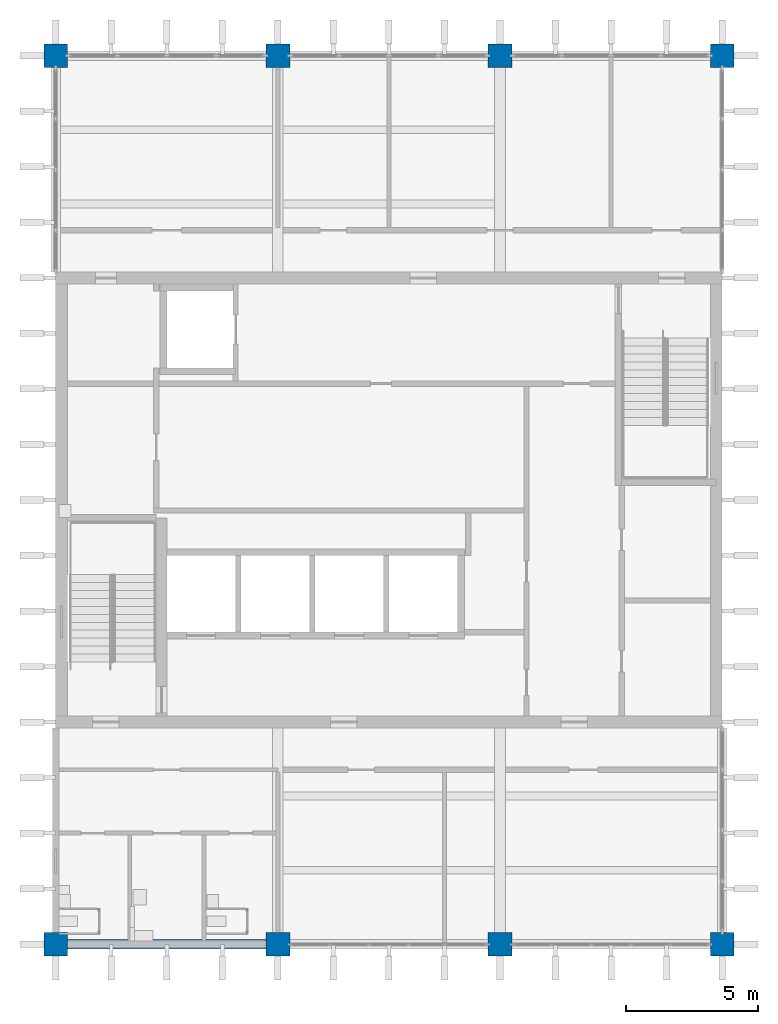
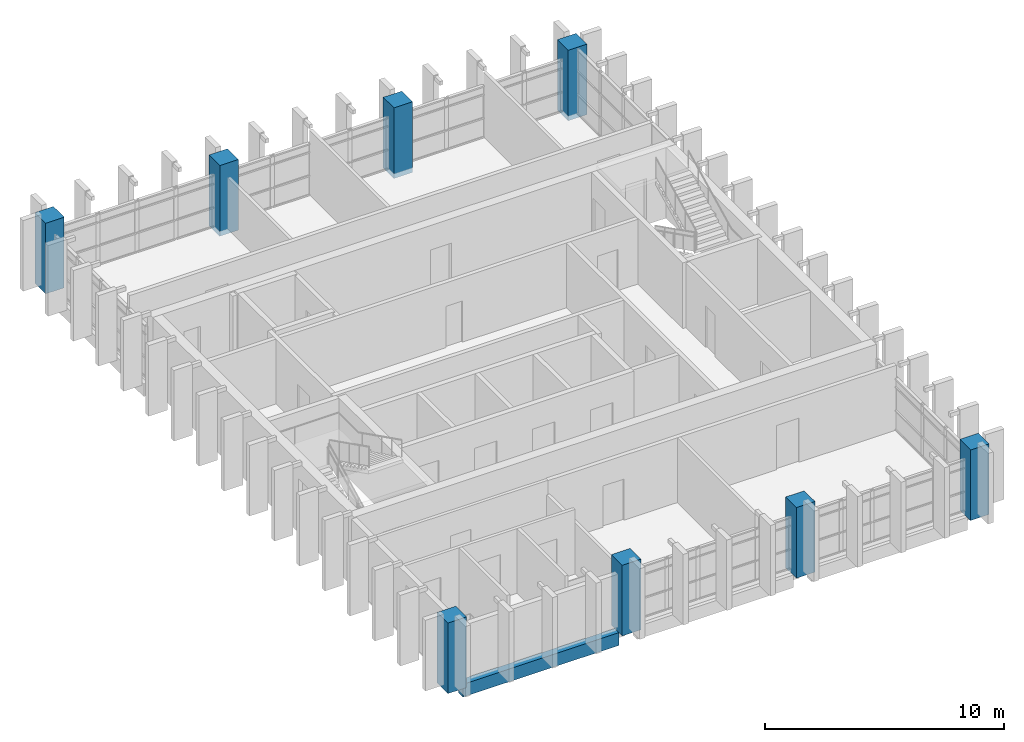
# One storey, part 1 of 10: 8 columns, 1 beam.
"""IFC4 building model written with IfcOpenShell, lengths in metres."""

from ifc_helpers import new_model, si_unit, direction, frame, origin, origin_2d, place, context, subcontext, project, spatial, rectangle, extrude, material, material_profile, profile_set, type_object, element, save


model = new_model("IFC4")

# Units and contexts
model_context = context("Model", 3, precision=1e-05, world=origin(), true_north=direction((0.0, 1.0)))
body_context = subcontext(model_context, "Body", "Model", "MODEL_VIEW")
ifc_project = project(units=[si_unit("LENGTHUNIT", "METRE"), si_unit("AREAUNIT", "SQUARE_METRE"), si_unit("VOLUMEUNIT", "CUBIC_METRE"), si_unit("PLANEANGLEUNIT", "RADIAN"), si_unit("MASSUNIT", "GRAM", prefix="KILO")], contexts=[model_context])

# Site, building, storey
site_placement = place(None, origin())
site = spatial("IfcSite", under=ifc_project, at=site_placement, CompositionType="ELEMENT")
building_placement = place(site_placement, origin())
building = spatial("IfcBuilding", under=site, at=building_placement, Name="Rulbaag Community and Learning Centre", CompositionType="ELEMENT")
storey_placement = place(building_placement, frame((0.0, 0.0, 28.800048828125)))
storey = spatial("IfcBuildingStorey", under=building, at=storey_placement, Name="L07", CompositionType="ELEMENT", Elevation=28.800048828125)

# Columns
ifc_material_1 = material(Name="Concrete M60", Category="concrete")
ifc_material_profile_1 = material_profile(ifc_material_1, rectangle(XDim=0.89990234375, YDim=0.89990234375, at=origin_2d()), Name="RC900x900")
ifc_profile_set_1 = profile_set([ifc_material_profile_1], Name="Concrete M60")
column_type = type_object("IfcColumnType", Name="C2 Column 900x900 Concrete M60", PredefinedType="COLUMN", material=ifc_profile_set_1)
for number, where, z_axis, x_axis, name in (
    (1, (142.800048828125, 84.0, -0.25), (0.0, 0.0, 1.0), (1.0, 0.0, 0.0), "COL-18K-L07"),
    (2, (142.800048828125, 117.60009765625, -0.25), (0.0, 0.0, 1.0), (1.0, 0.0, 0.0), "COL-18O-L07"),
    (3, (151.199951171875, 84.0, -0.25), (0.0, 0.0, 1.0), (1.0, 0.0, 0.0), "COL-19K-L07"),
    (4, (151.199951171875, 117.60009765625, -0.25), (0.0, 0.0, 1.0), (1.0, 0.0, 0.0), "COL-19O-L07"),
    (5, (159.60009765625, 84.0, -0.25), (0.0, 0.0, 1.0), (1.0, 0.0, 0.0), "COL-20K-L07"),
    (6, (159.60009765625, 117.60009765625, -0.25), (0.0, 0.0, 1.0), (1.0, 0.0, 0.0), "COL-20O-L07"),
    (7, (168.0, 84.0, -0.25), (0.0, 0.0, 1.0), (1.0, 0.0, 0.0), "COL-21K-L07"),
    (8, (168.0, 117.60009765625, -0.25), (0.0, 0.0, 1.0), (1.0, 0.0, 0.0), "COL-21O-L07"),
):
    element("IfcColumn", number, at=place(storey_placement, frame(where, z_axis=z_axis, x_axis=x_axis)), inside=storey, type_object=column_type, Name=name, PredefinedType="COLUMN", context=body_context, shape_type="SweptSolid", body=[
        extrude(rectangle(XDim=0.89990234375, YDim=0.89990234375, at=origin_2d()), origin(), (0.0, 0.0, 1.0), 3.599853515625),
    ])

# Beam
ifc_material_2 = material(Name="Concrete M40", Category="concrete")
ifc_material_profile_2 = material_profile(ifc_material_2, rectangle(XDim=0.35009765625, YDim=0.64990234375, at=origin_2d()), Name="RB350x650")
ifc_profile_set_2 = profile_set([ifc_material_profile_2], Name="Concrete M40")
beam_type = type_object("IfcBeamType", Name="B14 Tower edge beam, upper zone 350x650 Concrete M40", PredefinedType="BEAM", material=ifc_profile_set_2)
beam_placement = place(storey_placement, frame((143.22998046875, 84.0, -0.574951171875), z_axis=(1.0, 0.0, 0.0), x_axis=(0.0, 1.0, 0.0)))
element("IfcBeam", 9, at=beam_placement, inside=storey, type_object=beam_type, Name="BM-L07-18K-19K", PredefinedType="BEAM", context=body_context, shape_type="SweptSolid", body=[
    extrude(rectangle(XDim=0.35009765625, YDim=0.64990234375, at=origin_2d()), origin(), (0.0, 0.0, 1.0), 7.5400390625),
])

save(model, "model.ifc")
